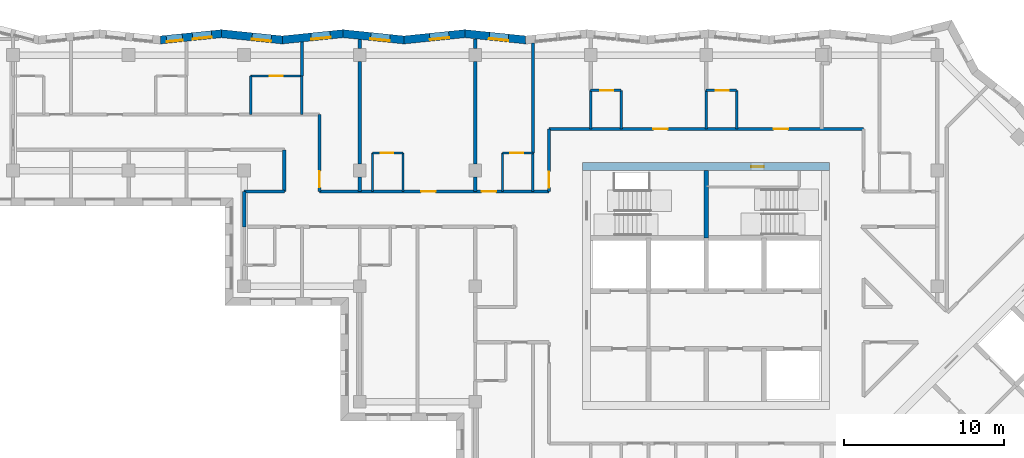
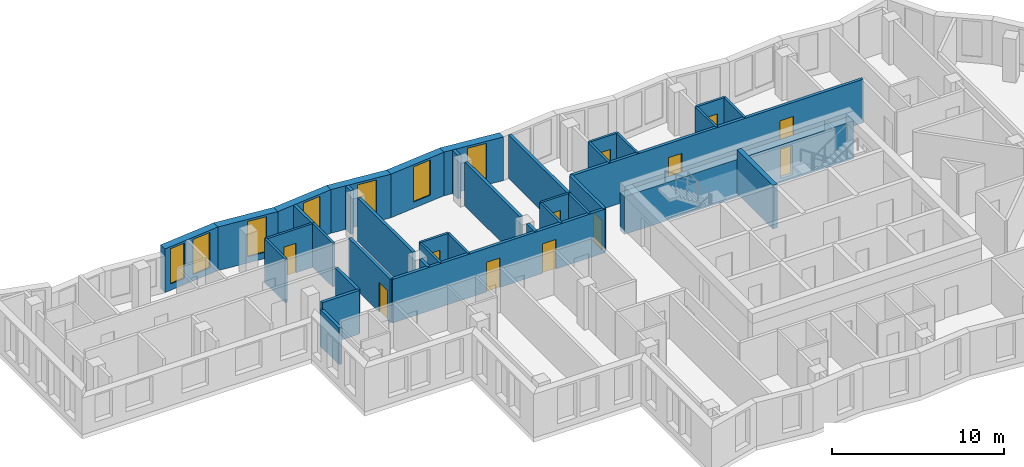
# One storey, part 6 of 12: 38 walls, 12 doors, 7 windows, 19 openings.
"""IFC4 building model written with IfcOpenShell, lengths in metres."""

from ifc_helpers import new_model, si_unit, direction, frame, frame_2d, origin, place, context, subcontext, project, spatial, polyline, rectangle, outline, extrude, material, layer, layer_set, type_object, element, fill, save


model = new_model("IFC4")

# Units and contexts
model_context = context("Model", 3, precision=1e-05, world=origin(), true_north=direction((0.0, 1.0)))
body_context = subcontext(model_context, "Body", "Model", "MODEL_VIEW")
ifc_project = project(units=[si_unit("LENGTHUNIT", "METRE"), si_unit("AREAUNIT", "SQUARE_METRE"), si_unit("VOLUMEUNIT", "CUBIC_METRE"), si_unit("PLANEANGLEUNIT", "RADIAN"), si_unit("MASSUNIT", "GRAM", prefix="KILO")], contexts=[model_context])

# Site, building, storey
site_placement = place(None, origin())
site = spatial("IfcSite", under=ifc_project, at=site_placement, CompositionType="ELEMENT")
building_placement = place(site_placement, origin())
building = spatial("IfcBuilding", under=site, at=building_placement, Name="Windrow Commons", CompositionType="ELEMENT")
storey_placement = place(building_placement, frame((0.0, 0.0, 199.8)))
storey = spatial("IfcBuildingStorey", under=building, at=storey_placement, Name="L54", CompositionType="ELEMENT", Elevation=199.8)

# Wall, opening, window
ifc_material_1 = material(Name="Brick masonry, red clay brick", Category="masonry")
ifc_layer_1 = layer(ifc_material_1, 0.5)
ifc_layer_set_1 = layer_set([ifc_layer_1], Name="Brick facade wall 500")
wall_type_1 = type_object("IfcWallType", Name="Brick facade wall 500", PredefinedType="SOLIDWALL", material=ifc_layer_set_1)
wall_1_placement = place(storey_placement, frame((53.552, 72.9487, 0.0), z_axis=(0.0, 0.0, 1.0), x_axis=(-0.9947306832, 0.1025225234, 0.0)))
wall_1 = element("IfcWall", 1, at=wall_1_placement, inside=storey, type_object=wall_type_1, Name="Brick facade wall L54 24", PredefinedType="SOLIDWALL", context=body_context, shape_type="SweptSolid", body=[
    extrude(outline(polyline([(0.0258, -0.25), (3.8395, -0.25), (3.788, 0.25), (-0.0258, 0.25), (0.0258, -0.25)])), origin(), (0.0, 0.0, 1.0), 3.1),
])
opening_1_placement = place(wall_1_placement, frame((1.0843, 0.0, 0.45)))
opening_1 = element("IfcOpeningElement", 2, at=opening_1_placement, cuts=wall_1, Name="Opening W7E", PredefinedType="OPENING", context=body_context, shape_type="SweptSolid", body=[
    extrude(rectangle(XDim=1.2, YDim=2.5, at=frame_2d((0.6, 1.25))), frame((0.0, 0.26, 0.0), z_axis=(0.0, -1.0, 0.0), x_axis=(1.0, 0.0, 0.0)), (0.0, 0.0, 1.0), 0.52),
])
ifc_material_2 = material(Name="Clear float glass in anodised aluminium frame", Category="aluminium")
window_type_1 = type_object("IfcWindowType", Name="Window W7 notch 1200x2500", PartitioningType="SINGLE_PANEL", PredefinedType="WINDOW", material=ifc_material_2)
window_1_placement = place(opening_1_placement, origin())
window_1 = element("IfcWindow", 3, at=window_1_placement, inside=storey, type_object=window_type_1, Name="Window L54 24.1", OverallHeight=2.5, OverallWidth=1.2, PartitioningType="SINGLE_PANEL", PredefinedType="WINDOW", context=body_context, shape_type="SweptSolid", body=[
    extrude(rectangle(XDim=1.2, YDim=2.5, at=frame_2d((0.6, 1.25))), frame((0.0, 0.18, 0.0), z_axis=(0.0, -1.0, 0.0), x_axis=(1.0, 0.0, 0.0)), (0.0, 0.0, 1.0), 0.06),
])
fill(opening_1, window_1)

wall_2_placement = place(storey_placement, frame((49.7583, 73.3397, 0.0), z_axis=(0.0, 0.0, 1.0), x_axis=(-0.9947306832, -0.1025225234, 0.0)))
wall_2 = element("IfcWall", 4, at=wall_2_placement, inside=storey, type_object=wall_type_1, Name="Brick facade wall L54 25", PredefinedType="SOLIDWALL", context=body_context, shape_type="SweptSolid", body=[
    extrude(outline(polyline([(-0.0258, -0.25), (3.788, -0.25), (3.8395, 0.25), (0.0258, 0.25), (-0.0258, -0.25)])), origin(), (0.0, 0.0, 1.0), 3.1),
])
opening_2_placement = place(wall_2_placement, frame((0.9999, 0.0, 0.45)))
opening_2 = element("IfcOpeningElement", 5, at=opening_2_placement, cuts=wall_2, Name="Opening W7E", PredefinedType="OPENING", context=body_context, shape_type="SweptSolid", body=[
    extrude(rectangle(XDim=1.2, YDim=2.5, at=frame_2d((0.6, 1.25))), frame((0.0, 0.26, 0.0), z_axis=(0.0, -1.0, 0.0), x_axis=(1.0, 0.0, 0.0)), (0.0, 0.0, 1.0), 0.52),
])
window_2_placement = place(opening_2_placement, origin())
window_2 = element("IfcWindow", 6, at=window_2_placement, inside=storey, type_object=window_type_1, Name="Window L54 25.1", OverallHeight=2.5, OverallWidth=1.2, PartitioningType="SINGLE_PANEL", PredefinedType="WINDOW", context=body_context, shape_type="SweptSolid", body=[
    extrude(rectangle(XDim=1.2, YDim=2.5, at=frame_2d((0.6, 1.25))), frame((0.0, 0.18, 0.0), z_axis=(0.0, -1.0, 0.0), x_axis=(1.0, 0.0, 0.0)), (0.0, 0.0, 1.0), 0.06),
])
fill(opening_2, window_2)

wall_3_placement = place(storey_placement, frame((45.9646, 72.9487, 0.0), z_axis=(0.0, 0.0, 1.0), x_axis=(-0.9947304076, 0.1025251975, 0.0)))
wall_3 = element("IfcWall", 7, at=wall_3_placement, inside=storey, type_object=wall_type_1, Name="Brick facade wall L54 26", PredefinedType="SOLIDWALL", context=body_context, shape_type="SweptSolid", body=[
    extrude(outline(polyline([(0.0258, -0.25), (3.8395, -0.25), (3.788, 0.25), (-0.0258, 0.25), (0.0258, -0.25)])), origin(), (0.0, 0.0, 1.0), 3.1),
])
opening_3_placement = place(wall_3_placement, frame((0.8896, 0.0, 0.45)))
opening_3 = element("IfcOpeningElement", 8, at=opening_3_placement, cuts=wall_3, Name="Opening W7E", PredefinedType="OPENING", context=body_context, shape_type="SweptSolid", body=[
    extrude(rectangle(XDim=1.2, YDim=2.5, at=frame_2d((0.6, 1.25))), frame((0.0, 0.26, 0.0), z_axis=(0.0, -1.0, 0.0), x_axis=(1.0, 0.0, 0.0)), (0.0, 0.0, 1.0), 0.52),
])
window_3_placement = place(opening_3_placement, origin())
window_3 = element("IfcWindow", 9, at=window_3_placement, inside=storey, type_object=window_type_1, Name="Window L54 26.1", OverallHeight=2.5, OverallWidth=1.2, PartitioningType="SINGLE_PANEL", PredefinedType="WINDOW", context=body_context, shape_type="SweptSolid", body=[
    extrude(rectangle(XDim=1.2, YDim=2.5, at=frame_2d((0.6, 1.25))), frame((0.0, 0.18, 0.0), z_axis=(0.0, -1.0, 0.0), x_axis=(1.0, 0.0, 0.0)), (0.0, 0.0, 1.0), 0.06),
])
fill(opening_3, window_3)

wall_4_placement = place(storey_placement, frame((42.171, 73.3397, 0.0), z_axis=(0.0, 0.0, 1.0), x_axis=(-0.9947306832, -0.1025225234, 0.0)))
wall_4 = element("IfcWall", 10, at=wall_4_placement, inside=storey, type_object=wall_type_1, Name="Brick facade wall L54 27", PredefinedType="SOLIDWALL", context=body_context, shape_type="SweptSolid", body=[
    extrude(outline(polyline([(-0.0258, -0.25), (3.788, -0.25), (3.8395, 0.25), (0.0258, 0.25), (-0.0258, -0.25)])), origin(), (0.0, 0.0, 1.0), 3.1),
])
opening_4_placement = place(wall_4_placement, frame((0.8052, 0.0, 0.45)))
opening_4 = element("IfcOpeningElement", 11, at=opening_4_placement, cuts=wall_4, Name="Opening W7E", PredefinedType="OPENING", context=body_context, shape_type="SweptSolid", body=[
    extrude(rectangle(XDim=1.2, YDim=2.5, at=frame_2d((0.6, 1.25))), frame((0.0, 0.26, 0.0), z_axis=(0.0, -1.0, 0.0), x_axis=(1.0, 0.0, 0.0)), (0.0, 0.0, 1.0), 0.52),
])
window_4_placement = place(opening_4_placement, origin())
window_4 = element("IfcWindow", 12, at=window_4_placement, inside=storey, type_object=window_type_1, Name="Window L54 27.1", OverallHeight=2.5, OverallWidth=1.2, PartitioningType="SINGLE_PANEL", PredefinedType="WINDOW", context=body_context, shape_type="SweptSolid", body=[
    extrude(rectangle(XDim=1.2, YDim=2.5, at=frame_2d((0.6, 1.25))), frame((0.0, 0.18, 0.0), z_axis=(0.0, -1.0, 0.0), x_axis=(1.0, 0.0, 0.0)), (0.0, 0.0, 1.0), 0.06),
])
fill(opening_4, window_4)

wall_5_placement = place(storey_placement, frame((38.3773, 72.9487, 0.0), z_axis=(0.0, 0.0, 1.0), x_axis=(-0.9947306832, 0.1025225234, 0.0)))
wall_5 = element("IfcWall", 13, at=wall_5_placement, inside=storey, type_object=wall_type_1, Name="Brick facade wall L54 28", PredefinedType="SOLIDWALL", context=body_context, shape_type="SweptSolid", body=[
    extrude(outline(polyline([(0.0258, -0.25), (3.8395, -0.25), (3.788, 0.25), (-0.0258, 0.25), (0.0258, -0.25)])), origin(), (0.0, 0.0, 1.0), 3.1),
])
opening_5_placement = place(wall_5_placement, frame((0.695, 0.0, 0.45)))
opening_5 = element("IfcOpeningElement", 14, at=opening_5_placement, cuts=wall_5, Name="Opening W7E", PredefinedType="OPENING", context=body_context, shape_type="SweptSolid", body=[
    extrude(rectangle(XDim=1.2, YDim=2.5, at=frame_2d((0.6, 1.25))), frame((0.0, 0.26, 0.0), z_axis=(0.0, -1.0, 0.0), x_axis=(1.0, 0.0, 0.0)), (0.0, 0.0, 1.0), 0.52),
])
window_5_placement = place(opening_5_placement, origin())
window_5 = element("IfcWindow", 15, at=window_5_placement, inside=storey, type_object=window_type_1, Name="Window L54 28.1", OverallHeight=2.5, OverallWidth=1.2, PartitioningType="SINGLE_PANEL", PredefinedType="WINDOW", context=body_context, shape_type="SweptSolid", body=[
    extrude(rectangle(XDim=1.2, YDim=2.5, at=frame_2d((0.6, 1.25))), frame((0.0, 0.18, 0.0), z_axis=(0.0, -1.0, 0.0), x_axis=(1.0, 0.0, 0.0)), (0.0, 0.0, 1.0), 0.06),
])
fill(opening_5, window_5)

# Wall, openings, windows
wall_6_placement = place(storey_placement, frame((34.5836, 73.3397, 0.0), z_axis=(0.0, 0.0, 1.0), x_axis=(-0.9947304076, -0.1025251975, 0.0)))
wall_6 = element("IfcWall", 16, at=wall_6_placement, inside=storey, type_object=wall_type_1, Name="Brick facade wall L54 29", PredefinedType="SOLIDWALL", context=body_context, shape_type="SweptSolid", body=[
    extrude(outline(polyline([(-0.0258, -0.25), (3.788, -0.25), (3.8395, 0.25), (0.0258, 0.25), (-0.0258, -0.25)])), origin(), (0.0, 0.0, 1.0), 3.1),
])
opening_6_placement = place(wall_6_placement, frame((0.6105, 0.0, 0.45)))
opening_6 = element("IfcOpeningElement", 17, at=opening_6_placement, cuts=wall_6, Name="Opening W7E", PredefinedType="OPENING", context=body_context, shape_type="SweptSolid", body=[
    extrude(rectangle(XDim=1.2, YDim=2.5, at=frame_2d((0.6, 1.25))), frame((0.0, 0.26, 0.0), z_axis=(0.0, -1.0, 0.0), x_axis=(1.0, 0.0, 0.0)), (0.0, 0.0, 1.0), 0.52),
])
opening_7_placement = place(wall_6_placement, frame((2.4424, 0.0, 0.45)))
opening_7 = element("IfcOpeningElement", 18, at=opening_7_placement, cuts=wall_6, Name="Opening W1S", PredefinedType="OPENING", context=body_context, shape_type="SweptSolid", body=[
    extrude(rectangle(XDim=1.0, YDim=2.5, at=frame_2d((0.5, 1.25))), frame((0.0, 0.26, 0.0), z_axis=(0.0, -1.0, 0.0), x_axis=(1.0, 0.0, 0.0)), (0.0, 0.0, 1.0), 0.52),
])
ifc_material_3 = material(Name="Clear float glass in anodised aluminium frame", Category="aluminium")
window_type_2 = type_object("IfcWindowType", Name="Window W1S slit 1000x2500", PartitioningType="SINGLE_PANEL", PredefinedType="WINDOW", material=ifc_material_3)
window_6_placement = place(opening_7_placement, origin())
window_6 = element("IfcWindow", 19, at=window_6_placement, inside=storey, type_object=window_type_2, Name="Window L54 29.2A", OverallHeight=2.5, OverallWidth=1.0, PartitioningType="SINGLE_PANEL", PredefinedType="WINDOW", context=body_context, shape_type="SweptSolid", body=[
    extrude(rectangle(XDim=1.0, YDim=2.5, at=frame_2d((0.5, 1.25))), frame((0.0, 0.18, 0.0), z_axis=(0.0, -1.0, 0.0), x_axis=(1.0, 0.0, 0.0)), (0.0, 0.0, 1.0), 0.06),
])
fill(opening_7, window_6)
window_7_placement = place(opening_6_placement, origin())
window_7 = element("IfcWindow", 20, at=window_7_placement, inside=storey, type_object=window_type_1, Name="Window L54 29.1", OverallHeight=2.5, OverallWidth=1.2, PartitioningType="SINGLE_PANEL", PredefinedType="WINDOW", context=body_context, shape_type="SweptSolid", body=[
    extrude(rectangle(XDim=1.2, YDim=2.5, at=frame_2d((0.6, 1.25))), frame((0.0, 0.18, 0.0), z_axis=(0.0, -1.0, 0.0), x_axis=(1.0, 0.0, 0.0)), (0.0, 0.0, 1.0), 0.06),
])
fill(opening_6, window_7)

# Wall, openings, doors
ifc_material_4 = material(Name="Blockwork partition", Category="masonry")
ifc_layer_2 = layer(ifc_material_4, 0.2)
ifc_layer_set_2 = layer_set([ifc_layer_2], Name="IW-CORRIDOR-200")
wall_type_2 = type_object("IfcWallType", Name="IW-CORRIDOR-200", PredefinedType="PARTITIONING", material=ifc_layer_set_2)
wall_7_placement = place(storey_placement, frame((55.0, 67.4, 0.0), z_axis=(0.0, 0.0, 1.0), x_axis=(1.0, 0.0, 0.0)))
wall_7 = element("IfcWall", 21, at=wall_7_placement, inside=storey, type_object=wall_type_2, Name="W-L54-W000", PredefinedType="PARTITIONING", context=body_context, shape_type="SweptSolid", body=[
    extrude(rectangle(XDim=19.6, YDim=0.2, at=frame_2d((9.8, 0.0))), origin(), (0.0, 0.0, 1.0), 3.1),
])
opening_8_placement = place(wall_7_placement, frame((6.4994, 0.0, 0.0)))
opening_8 = element("IfcOpeningElement", 22, at=opening_8_placement, cuts=wall_7, Name="Opening D109F", PredefinedType="OPENING", context=body_context, shape_type="SweptSolid", body=[
    extrude(rectangle(XDim=0.9, YDim=2.1, at=frame_2d((0.45, 1.05))), frame((0.0, 0.11, 0.0), z_axis=(0.0, -1.0, 0.0), x_axis=(1.0, 0.0, 0.0)), (0.0, 0.0, 1.0), 0.22),
])
opening_9_placement = place(wall_7_placement, frame((14.0006, 0.0, 0.0)))
opening_9 = element("IfcOpeningElement", 23, at=opening_9_placement, cuts=wall_7, Name="Opening D109F", PredefinedType="OPENING", context=body_context, shape_type="SweptSolid", body=[
    extrude(rectangle(XDim=0.9, YDim=2.1, at=frame_2d((0.45, 1.05))), frame((0.0, 0.11, 0.0), z_axis=(0.0, -1.0, 0.0), x_axis=(1.0, 0.0, 0.0)), (0.0, 0.0, 1.0), 0.22),
])
ifc_material_5 = material(Name="Timber door leaf", Category="wood")
door_type_1 = type_object("IfcDoorType", Name="DT-BEDROOM-900", OperationType="SINGLE_SWING_LEFT", PredefinedType="DOOR", material=ifc_material_5)
door_1_placement = place(opening_8_placement, origin())
door_1 = element("IfcDoor", 24, at=door_1_placement, inside=storey, type_object=door_type_1, Name="D-L54-D032", OperationType="SINGLE_SWING_RIGHT", OverallHeight=2.1, OverallWidth=0.9, PredefinedType="DOOR", context=body_context, shape_type="SweptSolid", body=[
    extrude(rectangle(XDim=0.9, YDim=2.1, at=frame_2d((0.45, 1.05))), frame((0.0, 0.025, 0.0), z_axis=(0.0, -1.0, 0.0), x_axis=(1.0, 0.0, 0.0)), (0.0, 0.0, 1.0), 0.05),
])
fill(opening_8, door_1)
door_2_placement = place(opening_9_placement, origin())
door_2 = element("IfcDoor", 25, at=door_2_placement, inside=storey, type_object=door_type_1, Name="D-L54-D034", OperationType="SINGLE_SWING_RIGHT", OverallHeight=2.1, OverallWidth=0.9, PredefinedType="DOOR", context=body_context, shape_type="SweptSolid", body=[
    extrude(rectangle(XDim=0.9, YDim=2.1, at=frame_2d((0.45, 1.05))), frame((0.0, 0.025, 0.0), z_axis=(0.0, -1.0, 0.0), x_axis=(1.0, 0.0, 0.0)), (0.0, 0.0, 1.0), 0.05),
])
fill(opening_9, door_2)

wall_8_placement = place(storey_placement, frame((40.702, 63.5, 0.0), z_axis=(0.0, 0.0, 1.0), x_axis=(1.0, 0.0, 0.0)))
wall_8 = element("IfcWall", 26, at=wall_8_placement, inside=storey, type_object=wall_type_2, Name="W-L54-W005", PredefinedType="PARTITIONING", context=body_context, shape_type="SweptSolid", body=[
    extrude(rectangle(XDim=14.298, YDim=0.2, at=frame_2d((7.149, 0.0))), origin(), (0.0, 0.0, 1.0), 3.1),
])
opening_10_placement = place(wall_8_placement, frame((6.332, 0.0, 0.0)))
opening_10 = element("IfcOpeningElement", 27, at=opening_10_placement, cuts=wall_8, Name="Opening D109F", PredefinedType="OPENING", context=body_context, shape_type="SweptSolid", body=[
    extrude(rectangle(XDim=0.9, YDim=2.1, at=frame_2d((0.45, 1.05))), frame((0.0, 0.11, 0.0), z_axis=(0.0, -1.0, 0.0), x_axis=(1.0, 0.0, 0.0)), (0.0, 0.0, 1.0), 0.22),
])
opening_11_placement = place(wall_8_placement, frame((10.098, 0.0, 0.0)))
opening_11 = element("IfcOpeningElement", 28, at=opening_11_placement, cuts=wall_8, Name="Opening D109S", PredefinedType="OPENING", context=body_context, shape_type="SweptSolid", body=[
    extrude(rectangle(XDim=0.9, YDim=2.1, at=frame_2d((0.45, 1.05))), frame((0.0, 0.11, 0.0), z_axis=(0.0, -1.0, 0.0), x_axis=(1.0, 0.0, 0.0)), (0.0, 0.0, 1.0), 0.22),
])
door_3_placement = place(opening_10_placement, origin())
door_3 = element("IfcDoor", 29, at=door_3_placement, inside=storey, type_object=door_type_1, Name="D-L54-D015", OperationType="SINGLE_SWING_RIGHT", OverallHeight=2.1, OverallWidth=0.9, PredefinedType="DOOR", context=body_context, shape_type="SweptSolid", body=[
    extrude(rectangle(XDim=0.9, YDim=2.1, at=frame_2d((0.45, 1.05))), frame((0.0, 0.025, 0.0), z_axis=(0.0, -1.0, 0.0), x_axis=(1.0, 0.0, 0.0)), (0.0, 0.0, 1.0), 0.05),
])
fill(opening_10, door_3)
door_4_placement = place(opening_11_placement, origin())
door_4 = element("IfcDoor", 30, at=door_4_placement, inside=storey, type_object=door_type_1, Name="D-L54-D017", OperationType="SINGLE_SWING_RIGHT", OverallHeight=2.1, OverallWidth=0.9, PredefinedType="DOOR", context=body_context, shape_type="SweptSolid", body=[
    extrude(rectangle(XDim=0.9, YDim=2.1, at=frame_2d((0.45, 1.05))), frame((0.0, 0.025, 0.0), z_axis=(0.0, -1.0, 0.0), x_axis=(1.0, 0.0, 0.0)), (0.0, 0.0, 1.0), 0.05),
])
fill(opening_11, door_4)

# Wall, opening, door
wall_9_placement = place(storey_placement, frame((40.7, 63.502, 0.0), z_axis=(0.0, 0.0, 1.0), x_axis=(0.0, 1.0, 0.0)))
wall_9 = element("IfcWall", 31, at=wall_9_placement, inside=storey, type_object=wall_type_2, Name="W-L54-W029", PredefinedType="PARTITIONING", context=body_context, shape_type="SweptSolid", body=[
    extrude(rectangle(XDim=4.798, YDim=0.2, at=frame_2d((2.399, 0.0))), origin(), (0.0, 0.0, 1.0), 3.1),
])
opening_12_placement = place(wall_9_placement, frame((0.2621, 0.0, 0.0)))
opening_12 = element("IfcOpeningElement", 32, at=opening_12_placement, cuts=wall_9, Name="Opening D310F", PredefinedType="OPENING", context=body_context, shape_type="SweptSolid", body=[
    extrude(rectangle(XDim=1.0, YDim=2.1, at=frame_2d((0.5, 1.05))), frame((0.0, 0.11, 0.0), z_axis=(0.0, -1.0, 0.0), x_axis=(1.0, 0.0, 0.0)), (0.0, 0.0, 1.0), 0.22),
])
ifc_material_6 = material(Name="Timber door leaf", Category="wood")
door_type_2 = type_object("IfcDoorType", Name="DT-AMENITY-1000", OperationType="SINGLE_SWING_LEFT", PredefinedType="DOOR", material=ifc_material_6)
door_5_placement = place(opening_12_placement, origin())
door_5 = element("IfcDoor", 33, at=door_5_placement, inside=storey, type_object=door_type_2, Name="D-L54-D014", OperationType="SINGLE_SWING_LEFT", OverallHeight=2.1, OverallWidth=1.0, PredefinedType="DOOR", context=body_context, shape_type="SweptSolid", body=[
    extrude(rectangle(XDim=1.0, YDim=2.1, at=frame_2d((0.5, 1.05))), frame((0.0, 0.025, 0.0), z_axis=(0.0, -1.0, 0.0), x_axis=(1.0, 0.0, 0.0)), (0.0, 0.0, 1.0), 0.05),
])
fill(opening_12, door_5)

wall_10_placement = place(storey_placement, frame((55.0, 63.502, 0.0), z_axis=(0.0, 0.0, 1.0), x_axis=(0.0, 1.0, 0.0)))
wall_10 = element("IfcWall", 34, at=wall_10_placement, inside=storey, type_object=wall_type_2, Name="W-L54-W042", PredefinedType="PARTITIONING", context=body_context, shape_type="SweptSolid", body=[
    extrude(rectangle(XDim=3.898, YDim=0.2, at=frame_2d((1.949, 0.0))), origin(), (0.0, 0.0, 1.0), 3.1),
])
opening_13_placement = place(wall_10_placement, frame((0.2416, 0.0, 0.0)))
opening_13 = element("IfcOpeningElement", 35, at=opening_13_placement, cuts=wall_10, Name="Opening D310F", PredefinedType="OPENING", context=body_context, shape_type="SweptSolid", body=[
    extrude(rectangle(XDim=1.0, YDim=2.1, at=frame_2d((0.5, 1.05))), frame((0.0, 0.11, 0.0), z_axis=(0.0, -1.0, 0.0), x_axis=(1.0, 0.0, 0.0)), (0.0, 0.0, 1.0), 0.22),
])
door_6_placement = place(opening_13_placement, origin())
door_6 = element("IfcDoor", 36, at=door_6_placement, inside=storey, type_object=door_type_2, Name="D-L54-D019", OperationType="SINGLE_SWING_LEFT", OverallHeight=2.1, OverallWidth=1.0, PredefinedType="DOOR", context=body_context, shape_type="SweptSolid", body=[
    extrude(rectangle(XDim=1.0, YDim=2.1, at=frame_2d((0.5, 1.05))), frame((0.0, 0.025, 0.0), z_axis=(0.0, -1.0, 0.0), x_axis=(1.0, 0.0, 0.0)), (0.0, 0.0, 1.0), 0.05),
])
fill(opening_13, door_6)

# Walls
wall_11_placement = place(storey_placement, frame((38.5, 63.502, 0.0), z_axis=(0.0, 0.0, 1.0), x_axis=(0.0, 1.0, 0.0)))
element("IfcWall", 37, at=wall_11_placement, inside=storey, type_object=wall_type_2, Name="W-L54-W053", PredefinedType="PARTITIONING", context=body_context, shape_type="SweptSolid", body=[
    extrude(rectangle(XDim=2.596, YDim=0.2, at=frame_2d((1.298, 0.0))), origin(), (0.0, 0.0, 1.0), 3.1),
])
wall_12_placement = place(storey_placement, frame((36.002, 63.5, 0.0), z_axis=(0.0, 0.0, 1.0), x_axis=(1.0, 0.0, 0.0)))
element("IfcWall", 38, at=wall_12_placement, inside=storey, type_object=wall_type_2, Name="W-L54-W058", PredefinedType="PARTITIONING", context=body_context, shape_type="SweptSolid", body=[
    extrude(rectangle(XDim=2.498, YDim=0.2, at=frame_2d((1.249, 0.0))), origin(), (0.0, 0.0, 1.0), 3.1),
])
wall_13_placement = place(storey_placement, frame((36.0, 61.3, 0.0), z_axis=(0.0, 0.0, 1.0), x_axis=(0.0, 1.0, 0.0)))
element("IfcWall", 39, at=wall_13_placement, inside=storey, type_object=wall_type_2, Name="W-L54-W093", PredefinedType="PARTITIONING", context=body_context, shape_type="SweptSolid", body=[
    extrude(rectangle(XDim=2.2, YDim=0.2, at=frame_2d((1.1, 0.0))), origin(), (0.0, 0.0, 1.0), 2.6),
])

# Wall, opening, door
ifc_material_7 = material(Name="Blockwork partition", Category="masonry")
ifc_layer_3 = layer(ifc_material_7, 0.15)
ifc_layer_set_3 = layer_set([ifc_layer_3], Name="IW-ENSUITE-150")
wall_type_3 = type_object("IfcWallType", Name="IW-ENSUITE-150", PredefinedType="PARTITIONING", material=ifc_layer_set_3)
wall_14_placement = place(storey_placement, frame((36.4, 70.7, 0.0), z_axis=(0.0, 0.0, 1.0), x_axis=(1.0, 0.0, 0.0)))
wall_14 = element("IfcWall", 40, at=wall_14_placement, inside=storey, type_object=wall_type_3, Name="W-L54-W050", PredefinedType="PARTITIONING", context=body_context, shape_type="SweptSolid", body=[
    extrude(rectangle(XDim=3.2, YDim=0.15, at=frame_2d((1.6, 0.0))), origin(), (0.0, 0.0, 1.0), 3.1),
])
opening_14_placement = place(wall_14_placement, frame((1.2042, 0.0, 0.0)))
opening_14 = element("IfcOpeningElement", 41, at=opening_14_placement, cuts=wall_14, Name="Opening D208N", PredefinedType="OPENING", context=body_context, shape_type="SweptSolid", body=[
    extrude(rectangle(XDim=0.8, YDim=2.1, at=frame_2d((0.4, 1.05))), frame((0.0, 0.085, 0.0), z_axis=(0.0, -1.0, 0.0), x_axis=(1.0, 0.0, 0.0)), (0.0, 0.0, 1.0), 0.17),
])
ifc_material_8 = material(Name="Timber door leaf", Category="wood")
door_type_3 = type_object("IfcDoorType", Name="DT-ENSUITE-800", OperationType="SINGLE_SWING_LEFT", PredefinedType="DOOR", material=ifc_material_8)
door_7_placement = place(opening_14_placement, origin())
door_7 = element("IfcDoor", 42, at=door_7_placement, inside=storey, type_object=door_type_3, Name="D-L54-D007", OperationType="SINGLE_SWING_RIGHT", OverallHeight=2.1, OverallWidth=0.8, PredefinedType="DOOR", context=body_context, shape_type="SweptSolid", body=[
    extrude(rectangle(XDim=0.8, YDim=2.1, at=frame_2d((0.4, 1.05))), frame((0.0, 0.025, 0.0), z_axis=(0.0, -1.0, 0.0), x_axis=(1.0, 0.0, 0.0)), (0.0, 0.0, 1.0), 0.05),
])
fill(opening_14, door_7)

# Walls
for number, where, z_axis, x_axis, name in (
    (43, (36.4, 68.3, 0.0), (0.0, 0.0, 1.0), (0.0, 1.0, 0.0), "W-L54-W066"),
    (44, (39.6, 68.3, 0.0), (0.0, 0.0, 1.0), (0.0, 1.0, 0.0), "W-L54-W067"),
    (45, (44.0, 63.5, 0.0), (0.0, 0.0, 1.0), (0.0, 1.0, 0.0), "W-L54-W068"),
    (46, (45.9, 63.5, 0.0), (0.0, 0.0, 1.0), (0.0, 1.0, 0.0), "W-L54-W069"),
    (47, (52.1, 63.5, 0.0), (0.0, 0.0, 1.0), (0.0, 1.0, 0.0), "W-L54-W070"),
    (48, (54.0, 63.5, 0.0), (0.0, 0.0, 1.0), (0.0, 1.0, 0.0), "W-L54-W071"),
    (49, (59.5, 67.4, 0.0), (0.0, 0.0, 1.0), (0.0, 1.0, 0.0), "W-L54-W085"),
    (50, (57.6, 67.4, 0.0), (0.0, 0.0, 1.0), (0.0, 1.0, 0.0), "W-L54-W086"),
    (51, (66.7, 67.4, 0.0), (0.0, 0.0, 1.0), (0.0, 1.0, 0.0), "W-L54-W087"),
    (52, (64.8, 67.4, 0.0), (0.0, 0.0, 1.0), (0.0, 1.0, 0.0), "W-L54-W088"),
):
    element("IfcWall", number, at=place(storey_placement, frame(where, z_axis=z_axis, x_axis=x_axis)), inside=storey, type_object=wall_type_3, Name=name, PredefinedType="PARTITIONING", context=body_context, shape_type="SweptSolid", body=[
        extrude(rectangle(XDim=2.4, YDim=0.15, at=frame_2d((1.2, 0.0))), origin(), (0.0, 0.0, 1.0), 3.1),
    ])

# Wall, opening, door
wall_15_placement = place(storey_placement, frame((64.8, 69.8, 0.0), z_axis=(0.0, 0.0, 1.0), x_axis=(1.0, 0.0, 0.0)))
wall_15 = element("IfcWall", 53, at=wall_15_placement, inside=storey, type_object=wall_type_3, Name="W-L54-W105", PredefinedType="PARTITIONING", context=body_context, shape_type="SweptSolid", body=[
    extrude(rectangle(XDim=1.9, YDim=0.15, at=frame_2d((0.95, 0.0))), origin(), (0.0, 0.0, 1.0), 3.1),
])
opening_15_placement = place(wall_15_placement, frame((0.6069, 0.0, 0.0)))
opening_15 = element("IfcOpeningElement", 54, at=opening_15_placement, cuts=wall_15, Name="Opening D208N", PredefinedType="OPENING", context=body_context, shape_type="SweptSolid", body=[
    extrude(rectangle(XDim=0.8, YDim=2.1, at=frame_2d((0.4, 1.05))), frame((0.0, 0.085, 0.0), z_axis=(0.0, -1.0, 0.0), x_axis=(1.0, 0.0, 0.0)), (0.0, 0.0, 1.0), 0.17),
])
door_8_placement = place(opening_15_placement, origin())
door_8 = element("IfcDoor", 55, at=door_8_placement, inside=storey, type_object=door_type_3, Name="D-L54-D035", OperationType="SINGLE_SWING_RIGHT", OverallHeight=2.1, OverallWidth=0.8, PredefinedType="DOOR", context=body_context, shape_type="SweptSolid", body=[
    extrude(rectangle(XDim=0.8, YDim=2.1, at=frame_2d((0.4, 1.05))), frame((0.0, 0.025, 0.0), z_axis=(0.0, -1.0, 0.0), x_axis=(1.0, 0.0, 0.0)), (0.0, 0.0, 1.0), 0.05),
])
fill(opening_15, door_8)

wall_16_placement = place(storey_placement, frame((44.0, 65.9, 0.0), z_axis=(0.0, 0.0, 1.0), x_axis=(1.0, 0.0, 0.0)))
wall_16 = element("IfcWall", 56, at=wall_16_placement, inside=storey, type_object=wall_type_3, Name="W-L54-W110", PredefinedType="PARTITIONING", context=body_context, shape_type="SweptSolid", body=[
    extrude(rectangle(XDim=1.9, YDim=0.15, at=frame_2d((0.95, 0.0))), origin(), (0.0, 0.0, 1.0), 3.1),
])
opening_16_placement = place(wall_16_placement, frame((0.5049, 0.0, 0.0)))
opening_16 = element("IfcOpeningElement", 57, at=opening_16_placement, cuts=wall_16, Name="Opening D208N", PredefinedType="OPENING", context=body_context, shape_type="SweptSolid", body=[
    extrude(rectangle(XDim=0.8, YDim=2.1, at=frame_2d((0.4, 1.05))), frame((0.0, 0.085, 0.0), z_axis=(0.0, -1.0, 0.0), x_axis=(1.0, 0.0, 0.0)), (0.0, 0.0, 1.0), 0.17),
])
door_9_placement = place(opening_16_placement, origin())
door_9 = element("IfcDoor", 58, at=door_9_placement, inside=storey, type_object=door_type_3, Name="D-L54-D016", OperationType="SINGLE_SWING_RIGHT", OverallHeight=2.1, OverallWidth=0.8, PredefinedType="DOOR", context=body_context, shape_type="SweptSolid", body=[
    extrude(rectangle(XDim=0.8, YDim=2.1, at=frame_2d((0.4, 1.05))), frame((0.0, 0.025, 0.0), z_axis=(0.0, -1.0, 0.0), x_axis=(1.0, 0.0, 0.0)), (0.0, 0.0, 1.0), 0.05),
])
fill(opening_16, door_9)

wall_17_placement = place(storey_placement, frame((52.1, 65.9, 0.0), z_axis=(0.0, 0.0, 1.0), x_axis=(1.0, 0.0, 0.0)))
wall_17 = element("IfcWall", 59, at=wall_17_placement, inside=storey, type_object=wall_type_3, Name="W-L54-W111", PredefinedType="PARTITIONING", context=body_context, shape_type="SweptSolid", body=[
    extrude(rectangle(XDim=1.9, YDim=0.15, at=frame_2d((0.95, 0.0))), origin(), (0.0, 0.0, 1.0), 3.1),
])
opening_17_placement = place(wall_17_placement, frame((0.4931, 0.0, 0.0)))
opening_17 = element("IfcOpeningElement", 60, at=opening_17_placement, cuts=wall_17, Name="Opening D208N", PredefinedType="OPENING", context=body_context, shape_type="SweptSolid", body=[
    extrude(rectangle(XDim=0.8, YDim=2.1, at=frame_2d((0.4, 1.05))), frame((0.0, 0.085, 0.0), z_axis=(0.0, -1.0, 0.0), x_axis=(1.0, 0.0, 0.0)), (0.0, 0.0, 1.0), 0.17),
])
door_10_placement = place(opening_17_placement, origin())
door_10 = element("IfcDoor", 61, at=door_10_placement, inside=storey, type_object=door_type_3, Name="D-L54-D018", OperationType="SINGLE_SWING_RIGHT", OverallHeight=2.1, OverallWidth=0.8, PredefinedType="DOOR", context=body_context, shape_type="SweptSolid", body=[
    extrude(rectangle(XDim=0.8, YDim=2.1, at=frame_2d((0.4, 1.05))), frame((0.0, 0.025, 0.0), z_axis=(0.0, -1.0, 0.0), x_axis=(1.0, 0.0, 0.0)), (0.0, 0.0, 1.0), 0.05),
])
fill(opening_17, door_10)

wall_18_placement = place(storey_placement, frame((57.6, 69.8, 0.0), z_axis=(0.0, 0.0, 1.0), x_axis=(1.0, 0.0, 0.0)))
wall_18 = element("IfcWall", 62, at=wall_18_placement, inside=storey, type_object=wall_type_3, Name="W-L54-W114", PredefinedType="PARTITIONING", context=body_context, shape_type="SweptSolid", body=[
    extrude(rectangle(XDim=1.9, YDim=0.15, at=frame_2d((0.95, 0.0))), origin(), (0.0, 0.0, 1.0), 3.1),
])
opening_18_placement = place(wall_18_placement, frame((0.6069, 0.0, 0.0)))
opening_18 = element("IfcOpeningElement", 63, at=opening_18_placement, cuts=wall_18, Name="Opening D208N", PredefinedType="OPENING", context=body_context, shape_type="SweptSolid", body=[
    extrude(rectangle(XDim=0.8, YDim=2.1, at=frame_2d((0.4, 1.05))), frame((0.0, 0.085, 0.0), z_axis=(0.0, -1.0, 0.0), x_axis=(1.0, 0.0, 0.0)), (0.0, 0.0, 1.0), 0.17),
])
door_11_placement = place(opening_18_placement, origin())
door_11 = element("IfcDoor", 64, at=door_11_placement, inside=storey, type_object=door_type_3, Name="D-L54-D033", OperationType="SINGLE_SWING_RIGHT", OverallHeight=2.1, OverallWidth=0.8, PredefinedType="DOOR", context=body_context, shape_type="SweptSolid", body=[
    extrude(rectangle(XDim=0.8, YDim=2.1, at=frame_2d((0.4, 1.05))), frame((0.0, 0.025, 0.0), z_axis=(0.0, -1.0, 0.0), x_axis=(1.0, 0.0, 0.0)), (0.0, 0.0, 1.0), 0.05),
])
fill(opening_18, door_11)

# Walls
ifc_material_9 = material(Name="Blockwork partition", Category="masonry")
ifc_layer_4 = layer(ifc_material_9, 0.2)
ifc_layer_set_4 = layer_set([ifc_layer_4], Name="IW-PARTY-200")
wall_type_4 = type_object("IfcWallType", Name="IW-PARTY-200", PredefinedType="PARTITIONING", material=ifc_layer_set_4)
wall_19_placement = place(storey_placement, frame((54.0, 65.9, 0.0), z_axis=(0.0, 0.0, 1.0), x_axis=(0.0, 1.0, 0.0)))
element("IfcWall", 65, at=wall_19_placement, inside=storey, type_object=wall_type_4, Name="W-L54-W016", PredefinedType="PARTITIONING", context=body_context, shape_type="SweptSolid", body=[
    extrude(rectangle(XDim=6.8435, YDim=0.2, at=frame_2d((3.4217, 0.0))), origin(), (0.0, 0.0, 1.0), 3.1),
])
for number, where, z_axis, x_axis, name in (
    (66, (43.2, 65.2, 0.0), (0.0, 0.0, 1.0), (0.0, 1.0, 0.0), "W-L54-W021"),
    (67, (50.4, 65.2, 0.0), (0.0, 0.0, 1.0), (0.0, 1.0, 0.0), "W-L54-W022"),
):
    element("IfcWall", number, at=place(storey_placement, frame(where, z_axis=z_axis, x_axis=x_axis)), inside=storey, type_object=wall_type_4, Name=name, PredefinedType="PARTITIONING", context=body_context, shape_type="SweptSolid", body=[
        extrude(rectangle(XDim=6.4, YDim=0.2, at=frame_2d((3.2, 0.0))), origin(), (0.0, 0.0, 1.0), 3.1),
    ])
wall_20_placement = place(storey_placement, frame((39.6, 70.7, 0.0), z_axis=(0.0, 0.0, 1.0), x_axis=(0.0, 1.0, 0.0)))
element("IfcWall", 68, at=wall_20_placement, inside=storey, type_object=wall_type_4, Name="W-L54-W099", PredefinedType="PARTITIONING", context=body_context, shape_type="SweptSolid", body=[
    extrude(rectangle(XDim=2.1234, YDim=0.2, at=frame_2d((1.0617, 0.0))), origin(), (0.0, 0.0, 1.0), 3.1),
])
for number, where, z_axis, x_axis, name in (
    (69, (43.2, 63.5, 0.0), (0.0, 0.0, 1.0), (0.0, 1.0, 0.0), "W-L54-W132"),
    (70, (50.4, 63.5, 0.0), (0.0, 0.0, 1.0), (0.0, 1.0, 0.0), "W-L54-W135"),
):
    element("IfcWall", number, at=place(storey_placement, frame(where, z_axis=z_axis, x_axis=x_axis)), inside=storey, type_object=wall_type_4, Name=name, PredefinedType="PARTITIONING", context=body_context, shape_type="SweptSolid", body=[
        extrude(rectangle(XDim=0.9, YDim=0.2, at=frame_2d((0.45, 0.0))), origin(), (0.0, 0.0, 1.0), 3.1),
    ])
wall_21_placement = place(storey_placement, frame((50.4, 72.4, 0.0), z_axis=(0.0, 0.0, 1.0), x_axis=(0.0, 1.0, 0.0)))
element("IfcWall", 71, at=wall_21_placement, inside=storey, type_object=wall_type_4, Name="W-L54-W154", PredefinedType="PARTITIONING", context=body_context, shape_type="SweptSolid", body=[
    extrude(rectangle(XDim=0.6222, YDim=0.2, at=frame_2d((0.3111, 0.0))), origin(), (0.0, 0.0, 1.0), 3.1),
])
wall_22_placement = place(storey_placement, frame((43.2, 72.4, 0.0), z_axis=(0.0, 0.0, 1.0), x_axis=(0.0, 1.0, 0.0)))
element("IfcWall", 72, at=wall_22_placement, inside=storey, type_object=wall_type_4, Name="W-L54-W155", PredefinedType="PARTITIONING", context=body_context, shape_type="SweptSolid", body=[
    extrude(rectangle(XDim=0.5823, YDim=0.2, at=frame_2d((0.2912, 0.0))), origin(), (0.0, 0.0, 1.0), 3.1),
])

# Wall, opening, door
ifc_material_10 = material(Name="Concrete C40/50", Category="concrete")
ifc_layer_5 = layer(ifc_material_10, 0.5)
ifc_layer_set_5 = layer_set([ifc_layer_5], Name="RC CORE WALL 500 C40/50")
wall_type_5 = type_object("IfcWallType", Name="RC CORE WALL 500 C40/50", PredefinedType="SHEAR", material=ifc_layer_set_5)
wall_23_placement = place(storey_placement, frame((57.1, 65.05, -0.3), z_axis=(0.0, 0.0, 1.0), x_axis=(1.0, 0.0, 0.0)))
wall_23 = element("IfcWall", 73, at=wall_23_placement, inside=storey, type_object=wall_type_5, Name="Core A wall outer-N", PredefinedType="SHEAR", context=body_context, shape_type="SweptSolid", body=[
    extrude(rectangle(XDim=15.4, YDim=0.5, at=frame_2d((7.7, 0.0))), origin(), (0.0, 0.0, 1.0), 2.7),
])
opening_19_placement = place(wall_23_placement, frame((10.5, 0.0, 0.3)))
opening_19 = element("IfcOpeningElement", 74, at=opening_19_placement, cuts=wall_23, Name="Opening D9", PredefinedType="OPENING", context=body_context, shape_type="SweptSolid", body=[
    extrude(rectangle(XDim=0.8, YDim=2.1, at=frame_2d((0.4, 1.05))), frame((0.0, 0.26, 0.0), z_axis=(0.0, -1.0, 0.0), x_axis=(1.0, 0.0, 0.0)), (0.0, 0.0, 1.0), 0.52),
])
ifc_material_11 = material(Name="Steel fire door leaf", Category="steel")
door_type_4 = type_object("IfcDoorType", Name="Riser access door 800", OperationType="SINGLE_SWING_LEFT", PredefinedType="DOOR", material=ifc_material_11)
door_12_placement = place(opening_19_placement, origin())
door_12 = element("IfcDoor", 75, at=door_12_placement, inside=storey, type_object=door_type_4, Name="Riser access door", OperationType="SINGLE_SWING_RIGHT", OverallHeight=2.1, OverallWidth=0.8, PredefinedType="DOOR", context=body_context, shape_type="SweptSolid", body=[
    extrude(rectangle(XDim=0.8, YDim=2.1, at=frame_2d((0.4, 1.05))), frame((0.0, 0.025, 0.0), z_axis=(0.0, -1.0, 0.0), x_axis=(1.0, 0.0, 0.0)), (0.0, 0.0, 1.0), 0.05),
])
fill(opening_19, door_12)

# Wall
ifc_material_12 = material(Name="Concrete C40/50", Category="concrete")
ifc_layer_6 = layer(ifc_material_12, 0.3)
ifc_layer_set_6 = layer_set([ifc_layer_6], Name="RC SHAFT WALL 300 C40/50")
wall_type_6 = type_object("IfcWallType", Name="RC SHAFT WALL 300 C40/50", PredefinedType="SOLIDWALL", material=ifc_layer_set_6)
wall_24_placement = place(storey_placement, frame((64.8, 60.6, 0.0), z_axis=(0.0, 0.0, 1.0), x_axis=(0.0, 1.0, 0.0)))
element("IfcWall", 76, at=wall_24_placement, inside=storey, type_object=wall_type_6, Name="Core A wall stair-mid", PredefinedType="SOLIDWALL", context=body_context, shape_type="SweptSolid", body=[
    extrude(rectangle(XDim=4.2, YDim=0.3, at=frame_2d((2.1, 0.0))), origin(), (0.0, 0.0, 1.0), 3.1),
])

save(model, "model.ifc")
